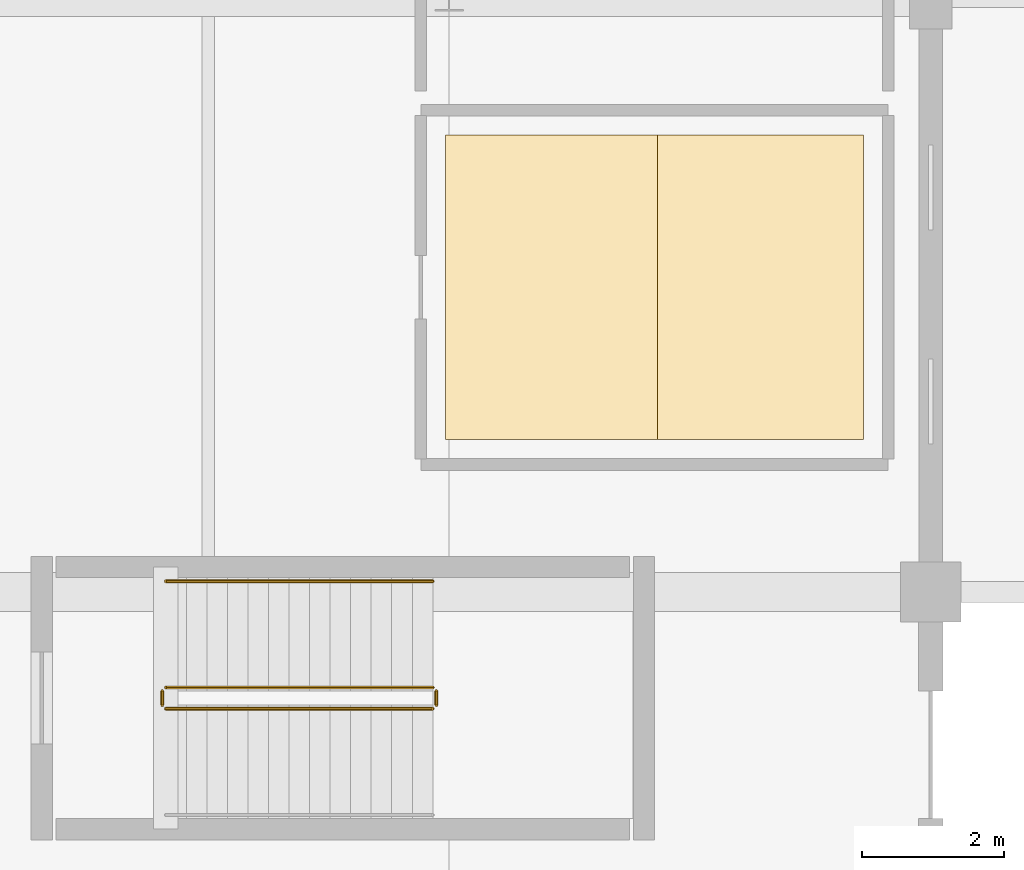
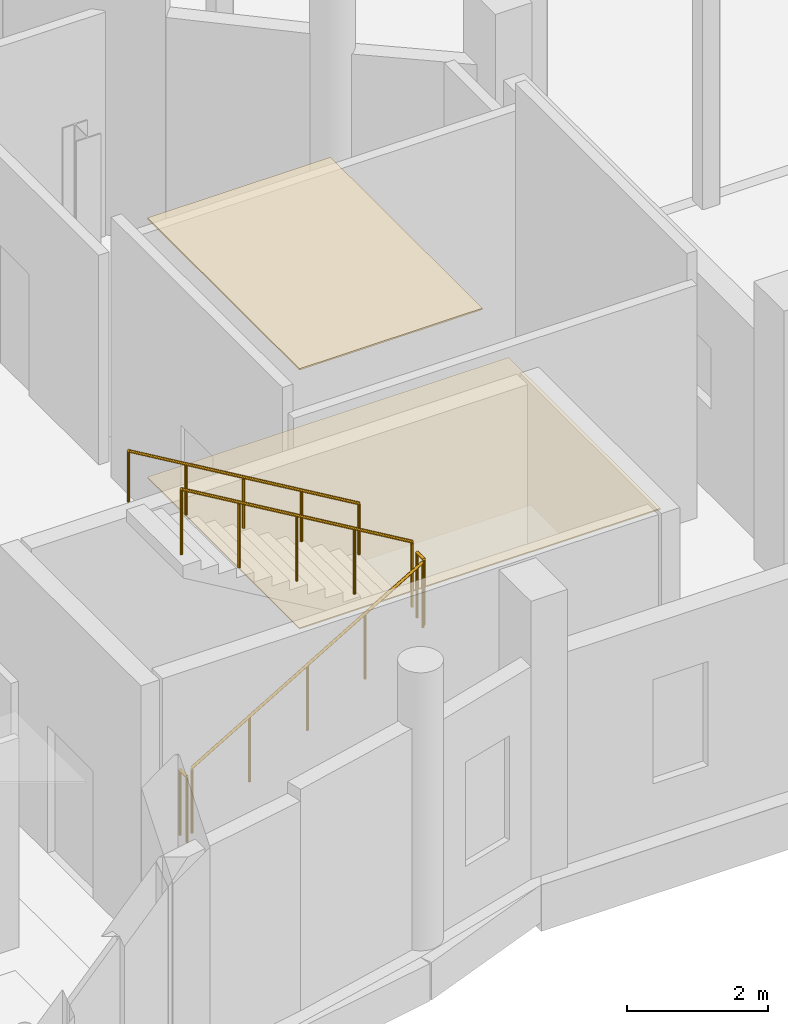
# One storey, part 81 of 97: 5 railings, 2 coverings.
"""IFC4 building model written with IfcOpenShell, lengths in metres."""

from ifc_helpers import new_model, si_unit, direction, frame, origin, origin_2d, place, context, subcontext, project, spatial, polyline, circle, outline, extrude, material, layer, layer_set, type_object, element, save


model = new_model("IFC4")

# Units and contexts
model_context = context("Model", 3, precision=1e-05, world=origin(), true_north=direction((0.0, 1.0)))
body_context = subcontext(model_context, "Body", "Model", "MODEL_VIEW")
ifc_project = project(units=[si_unit("LENGTHUNIT", "METRE"), si_unit("AREAUNIT", "SQUARE_METRE"), si_unit("VOLUMEUNIT", "CUBIC_METRE"), si_unit("PLANEANGLEUNIT", "RADIAN"), si_unit("MASSUNIT", "GRAM", prefix="KILO")], contexts=[model_context])

# Site, building, storey
site_placement = place(None, origin())
site = spatial("IfcSite", under=ifc_project, at=site_placement, CompositionType="ELEMENT")
building_placement = place(site_placement, origin())
building = spatial("IfcBuilding", under=site, at=building_placement, Name="Kisaragi Civic Commons", CompositionType="ELEMENT")
storey_placement = place(building_placement, origin())
storey = spatial("IfcBuildingStorey", under=building, at=storey_placement, Name="L00", CompositionType="ELEMENT", Elevation=0.0)

# Coverings
ifc_material_1 = material(Name="Perforated mineral-fibre & hinoki slat acoustic ceiling")
ifc_layer_1 = layer(ifc_material_1, 0.02490234375, Name="Perforated mineral-fibre & hinoki slat acoustic ceiling")
ifc_layer_set_1 = layer_set([ifc_layer_1], Name="Perforated mineral-fibre & hinoki slat acoustic ceiling")
covering_type_1 = type_object("IfcCoveringType", Name="CLG-02", PredefinedType="CEILING", material=ifc_layer_set_1)
covering_1_placement = place(storey_placement, frame((0.0, 0.0, 4.469970703125)))
element("IfcCovering", 1, at=covering_1_placement, inside=storey, type_object=covering_type_1, Name="Main Hall Male WC acoustic ceiling", PredefinedType="CEILING", context=body_context, shape_type="SweptSolid", body=[
    extrude(outline(polyline([(40.75, 10.550048828125), (43.739990234375, 10.550048828125), (43.739990234375, 14.85009765625), (40.75, 14.85009765625), (40.75, 10.550048828125)])), origin(), (0.0, 0.0, 1.0), 0.025146484375),
])
ifc_material_2 = material(Name="Honed Mino ceramic tile & resilience acoustic flooring")
ifc_layer_2 = layer(ifc_material_2, 0.02001953125, Name="Honed Mino ceramic tile & resilience acoustic flooring")
ifc_layer_set_2 = layer_set([ifc_layer_2], Name="Honed Mino ceramic tile & resilience acoustic flooring")
covering_type_2 = type_object("IfcCoveringType", Name="FLR-01", PredefinedType="FLOORING", material=ifc_layer_set_2)
covering_2_placement = place(storey_placement, origin())
element("IfcCovering", 2, at=covering_2_placement, inside=storey, type_object=covering_type_2, Name="Main Hall Male WC floor finish", PredefinedType="FLOORING", context=body_context, shape_type="SweptSolid", body=[
    extrude(outline(polyline([(46.64990234375, 14.85009765625), (40.75, 14.85009765625), (40.75, 10.550048828125), (46.64990234375, 10.550048828125), (46.64990234375, 14.85009765625)])), origin(), (0.0, 0.0, 1.0), 0.02001953125),
])

# Railings
ifc_material_3 = material(Name="Powder-coated architectural steel and hinoki cap rail", Category="steel")
railing_type_1 = type_object("IfcRailingType", Name="GRD-S1", PredefinedType="GUARDRAIL", material=ifc_material_3)
railing_1_placement = place(storey_placement, frame((36.800048828125, 6.75, 0.17138671875)))
element("IfcRailing", 3, at=railing_1_placement, inside=storey, type_object=railing_type_1, Name="L00 ST-M2 stair guard 1", PredefinedType="GUARDRAIL", context=body_context, shape_type="SweptSolid", body=[
    extrude(circle(Radius=0.02392578125, at=origin_2d()), frame((0.0, 0.0, 1.1259765625), z_axis=(0.860848830602, 0.0, 0.508860777473), x_axis=(0.0, 1.0, 0.0)), (0.0, 0.0, 1.0), 4.37939453125),
    extrude(circle(Radius=0.02099609375, at=origin_2d()), origin(), (0.0, 0.0, 1.0), 1.101806640625),
    extrude(circle(Radius=0.02099609375, at=origin_2d()), frame((0.9423828125, 0.0, 0.55712890625)), (0.0, 0.0, 1.0), 1.101806640625),
    extrude(circle(Radius=0.02099609375, at=origin_2d()), frame((1.885009765625, 0.0, 1.1142578125)), (0.0, 0.0, 1.0), 1.101806640625),
    extrude(circle(Radius=0.02099609375, at=origin_2d()), frame((2.82763671875, 0.0, 1.67138671875)), (0.0, 0.0, 1.0), 1.101806640625),
    extrude(circle(Radius=0.02099609375, at=origin_2d()), frame((3.77001953125, 0.0, 2.228515625)), (0.0, 0.0, 1.0), 1.101806640625),
])
railing_2_placement = place(storey_placement, frame((40.6201171875, 6.800048828125, 2.39990234375)))
element("IfcRailing", 4, at=railing_2_placement, inside=storey, type_object=railing_type_1, Name="L00 ST-M2 stair guard 2", PredefinedType="GUARDRAIL", context=body_context, shape_type="SweptSolid", body=[
    extrude(circle(Radius=0.02392578125, at=origin_2d()), frame((0.0, 0.0, 1.1259765625), z_axis=(0.0, 1.0, 0.0), x_axis=(-1.0, 0.0, 0.0)), (0.0, 0.0, 1.0), 0.199951171875),
    extrude(circle(Radius=0.02099609375, at=origin_2d()), origin(), (0.0, 0.0, 1.0), 1.101806640625),
    extrude(circle(Radius=0.02099609375, at=origin_2d()), frame((0.0, 0.199951171875, 0.0)), (0.0, 0.0, 1.0), 1.101806640625),
])
railing_3_placement = place(storey_placement, frame((40.570068359375, 7.050048828125, 2.571533203125)))
element("IfcRailing", 5, at=railing_3_placement, inside=storey, type_object=railing_type_1, Name="L00 ST-M2 stair guard 3", PredefinedType="GUARDRAIL", context=body_context, shape_type="SweptSolid", body=[
    extrude(circle(Radius=0.02392578125, at=origin_2d()), frame((0.0, 0.0, 1.1259765625), z_axis=(-0.860848830602, 0.0, 0.508860777473), x_axis=(0.0, -1.0, 0.0)), (0.0, 0.0, 1.0), 4.37939453125),
    extrude(circle(Radius=0.02099609375, at=origin_2d()), origin(), (0.0, 0.0, 1.0), 1.101806640625),
    extrude(circle(Radius=0.02099609375, at=origin_2d()), frame((-0.9423828125, 0.0, 0.55712890625)), (0.0, 0.0, 1.0), 1.101806640625),
    extrude(circle(Radius=0.02099609375, at=origin_2d()), frame((-1.885009765625, 0.0, 1.1142578125)), (0.0, 0.0, 1.0), 1.101806640625),
    extrude(circle(Radius=0.02099609375, at=origin_2d()), frame((-2.82763671875, 0.0, 1.67138671875)), (0.0, 0.0, 1.0), 1.101806640625),
    extrude(circle(Radius=0.02099609375, at=origin_2d()), frame((-3.77001953125, 0.0, 2.228515625)), (0.0, 0.0, 1.0), 1.101806640625),
])
railing_4_placement = place(storey_placement, frame((36.75, 6.800048828125, 0.0)))
element("IfcRailing", 6, at=railing_4_placement, inside=storey, type_object=railing_type_1, Name="L00 ST-M2 stair guard 4", PredefinedType="GUARDRAIL", context=body_context, shape_type="SweptSolid", body=[
    extrude(circle(Radius=0.02392578125, at=origin_2d()), frame((0.0, 0.0, 1.1259765625), z_axis=(0.0, 1.0, 0.0), x_axis=(-1.0, 0.0, 0.0)), (0.0, 0.0, 1.0), 0.199951171875),
    extrude(circle(Radius=0.02099609375, at=origin_2d()), origin(), (0.0, 0.0, 1.0), 1.101806640625),
    extrude(circle(Radius=0.02099609375, at=origin_2d()), frame((0.0, 0.199951171875, 0.0)), (0.0, 0.0, 1.0), 1.101806640625),
])
railing_type_2 = type_object("IfcRailingType", Name="HRL-01", PredefinedType="HANDRAIL", material=ifc_material_3)
railing_5_placement = place(storey_placement, frame((40.570068359375, 8.550048828125, 2.571533203125)))
element("IfcRailing", 7, at=railing_5_placement, inside=storey, type_object=railing_type_2, Name="L00 ST-M2 stair handrail 2", PredefinedType="HANDRAIL", context=body_context, shape_type="SweptSolid", body=[
    extrude(circle(Radius=0.02392578125, at=origin_2d()), frame((0.0, 0.0, 0.8759765625), z_axis=(-0.860848830602, 0.0, 0.508860777473), x_axis=(0.0, -1.0, 0.0)), (0.0, 0.0, 1.0), 4.37939453125),
    extrude(circle(Radius=0.02099609375, at=origin_2d()), origin(), (0.0, 0.0, 1.0), 0.851806640625),
    extrude(circle(Radius=0.02099609375, at=origin_2d()), frame((-0.9423828125, 0.0, 0.55712890625)), (0.0, 0.0, 1.0), 0.851806640625),
    extrude(circle(Radius=0.02099609375, at=origin_2d()), frame((-1.885009765625, 0.0, 1.1142578125)), (0.0, 0.0, 1.0), 0.851806640625),
    extrude(circle(Radius=0.02099609375, at=origin_2d()), frame((-2.82763671875, 0.0, 1.67138671875)), (0.0, 0.0, 1.0), 0.851806640625),
    extrude(circle(Radius=0.02099609375, at=origin_2d()), frame((-3.77001953125, 0.0, 2.228515625)), (0.0, 0.0, 1.0), 0.851806640625),
])

save(model, "model.ifc")
